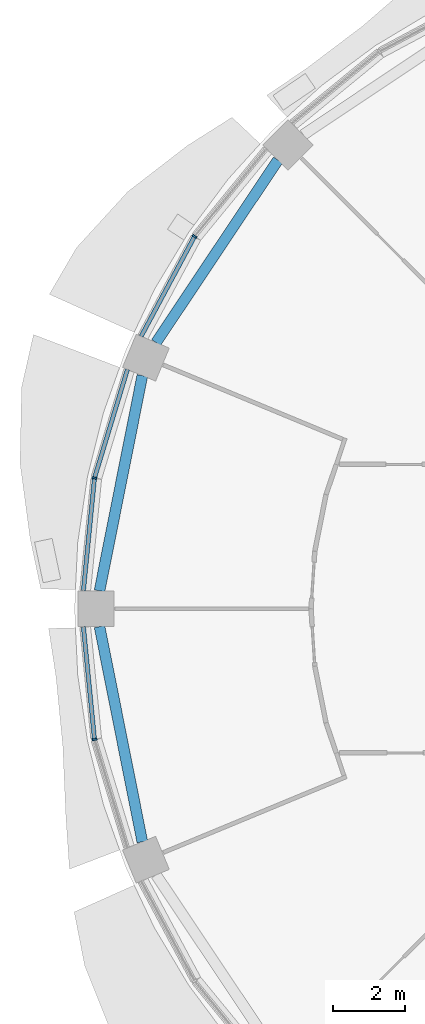
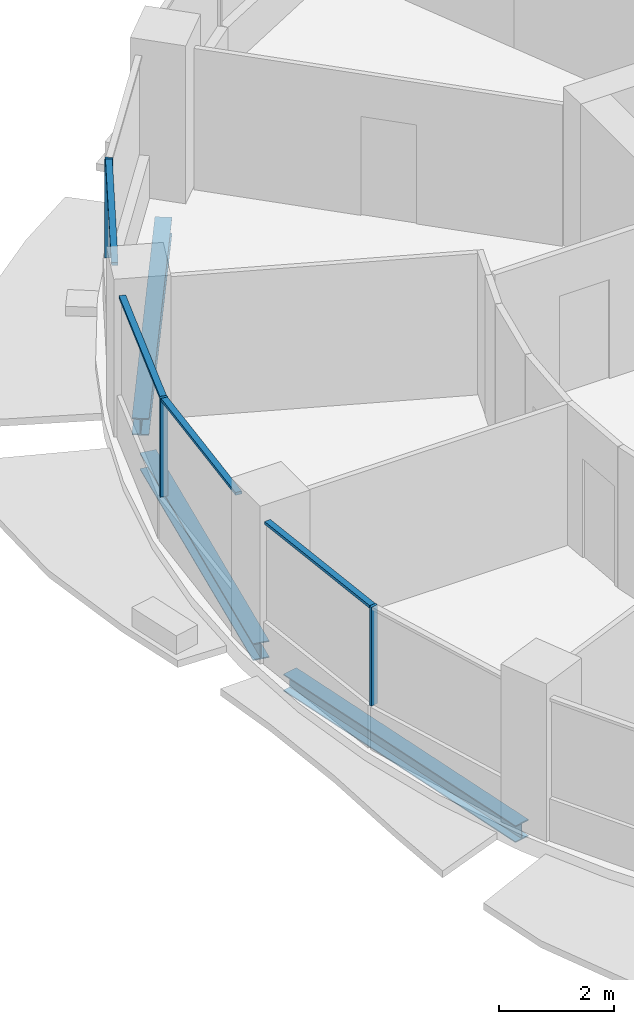
# One storey, part 4 of 14: 7 members, 3 beams, 3 elements without a shape of their own.
"""IFC4 building model written with IfcOpenShell, lengths in metres."""

from ifc_helpers import new_model, si_unit, direction, frame, origin, origin_2d, place, context, subcontext, project, spatial, rectangle, i_section, extrude, material, material_profile, profile_set, type_object, element, aggregate, save


model = new_model("IFC4")

# Units and contexts
model_context = context("Model", 3, precision=1e-05, world=origin(), true_north=direction((0.0, 1.0)))
body_context = subcontext(model_context, "Body", "Model", "MODEL_VIEW")
ifc_project = project(units=[si_unit("LENGTHUNIT", "METRE"), si_unit("AREAUNIT", "SQUARE_METRE"), si_unit("VOLUMEUNIT", "CUBIC_METRE"), si_unit("PLANEANGLEUNIT", "RADIAN"), si_unit("MASSUNIT", "GRAM", prefix="KILO")], contexts=[model_context])

# Site, building, storey
site_placement = place(None, origin())
site = spatial("IfcSite", under=ifc_project, at=site_placement, CompositionType="ELEMENT")
building_placement = place(site_placement, origin())
building = spatial("IfcBuilding", under=site, at=building_placement, Name="Polderwave Tower", CompositionType="ELEMENT")
storey_placement = place(building_placement, frame((0.0, 0.0, 144.39990234375)))
storey = spatial("IfcBuildingStorey", under=building, at=storey_placement, Name="L38", CompositionType="ELEMENT", Elevation=144.39990234375)

# Curtain wall, member
ifc_material_1 = material(Name="Aluminium 6063-T6 and glass", Category="aluminium")
curtain_wall_type = type_object("IfcCurtainWallType", Name="Office ribbon glazing wall", PredefinedType="NOTDEFINED", material=ifc_material_1)
curtain_wall_1_placement = place(storey_placement, origin())
curtain_wall_1 = element("IfcCurtainWall", 1, at=curtain_wall_1_placement, inside=storey, type_object=curtain_wall_type, Name="CW3 L38 06", PredefinedType="NOTDEFINED")
ifc_material_2 = material(Name="Aluminium 6063-T6", Category="aluminium")
ifc_material_profile_1 = material_profile(ifc_material_2, rectangle(XDim=0.139892578125, YDim=0.054931640625, at=origin_2d()), Name="AL 55x140")
ifc_profile_set_1 = profile_set([ifc_material_profile_1], Name="Aluminium 6063-T6")
member_type_1 = type_object("IfcMemberType", Name="Office ribbon glazing mullion 55x140", PredefinedType="MULLION", material=ifc_profile_set_1)
member_1_placement = place(storey_placement, frame((-15.548095703125, 10.388916015625, 0.900146484375), z_axis=(0.0, 0.0, 1.0), x_axis=(0.831508396395, -0.555512184136, 0.0)))
member_1 = element("IfcMember", 2, at=member_1_placement, type_object=member_type_1, Name="CW3 mullion 1", PredefinedType="MULLION", context=body_context, shape_type="SweptSolid", body=[
    extrude(rectangle(XDim=0.139892578125, YDim=0.054931640625, at=origin_2d()), origin(), (0.0, 0.0, 1.0), 2.099853515625),
])

curtain_wall_2_placement = place(storey_placement, origin())
curtain_wall_2 = element("IfcCurtainWall", 3, at=curtain_wall_2_placement, inside=storey, type_object=curtain_wall_type, Name="CW3 L38 07", PredefinedType="NOTDEFINED")
member_2_placement = place(storey_placement, frame((-18.341064453125, 3.64794921875, 0.900146484375), z_axis=(0.0, 0.0, 1.0), x_axis=(0.980764163857, -0.195196452055, 0.0)))
member_2 = element("IfcMember", 4, at=member_2_placement, type_object=member_type_1, Name="CW3 mullion 1", PredefinedType="MULLION", context=body_context, shape_type="SweptSolid", body=[
    extrude(rectangle(XDim=0.139892578125, YDim=0.054931640625, at=origin_2d()), origin(), (0.0, 0.0, 1.0), 2.099853515625),
])

curtain_wall_3_placement = place(storey_placement, origin())
curtain_wall_3 = element("IfcCurtainWall", 5, at=curtain_wall_3_placement, inside=storey, type_object=curtain_wall_type, Name="CW3 L38 08", PredefinedType="NOTDEFINED")
member_3_placement = place(storey_placement, frame((-18.341064453125, -3.64794921875, 0.900146484375), z_axis=(0.0, 0.0, 1.0), x_axis=(0.980764163857, 0.195196452055, 0.0)))
member_3 = element("IfcMember", 6, at=member_3_placement, type_object=member_type_1, Name="CW3 mullion 1", PredefinedType="MULLION", context=body_context, shape_type="SweptSolid", body=[
    extrude(rectangle(XDim=0.139892578125, YDim=0.054931640625, at=origin_2d()), origin(), (0.0, 0.0, 1.0), 2.099853515625),
])

# Member
ifc_material_profile_2 = material_profile(ifc_material_2, rectangle(XDim=0.1201171875, YDim=0.06005859375, at=origin_2d()), Name="AL 60x120")
ifc_profile_set_2 = profile_set([ifc_material_profile_2], Name="Aluminium 6063-T6")
member_type_2 = type_object("IfcMemberType", Name="Office ribbon glazing transom 60x120", PredefinedType="USERDEFINED", material=ifc_profile_set_2)
member_4_placement = place(storey_placement, frame((-15.56103515625, 10.36474609375, 2.97021484375), z_axis=(-0.471581867996, -0.881822284691, 0.0), x_axis=(0.881822284691, -0.471581867996, 0.0)))
member_4 = element("IfcMember", 7, at=member_4_placement, type_object=member_type_2, Name="CW3 transom 2", ObjectType="TRANSOM", PredefinedType="USERDEFINED", context=body_context, shape_type="SweptSolid", body=[
    extrude(rectangle(XDim=0.1201171875, YDim=0.06005859375, at=origin_2d()), origin(), (0.0, 0.0, 1.0), 3.13623046875),
])

aggregate(curtain_wall_1, [member_1, member_4])

member_5_placement = place(storey_placement, frame((-17.422119140625, 6.675048828125, 2.97021484375), z_axis=(-0.290467601512, -0.956884827172, 0.0), x_axis=(0.956884827172, -0.290467601512, 0.0)))
member_5 = element("IfcMember", 8, at=member_5_placement, type_object=member_type_2, Name="CW3 transom 1", ObjectType="TRANSOM", PredefinedType="USERDEFINED", context=body_context, shape_type="SweptSolid", body=[
    extrude(rectangle(XDim=0.1201171875, YDim=0.06005859375, at=origin_2d()), origin(), (0.0, 0.0, 1.0), 3.135986328125),
])

member_6_placement = place(storey_placement, frame((-18.34375, 3.62060546875, 2.97021484375), z_axis=(-0.097946420382, -0.995191689442, 0.0), x_axis=(0.995191689442, -0.097946420382, 0.0)))
member_6 = element("IfcMember", 9, at=member_6_placement, type_object=member_type_2, Name="CW3 transom 2", ObjectType="TRANSOM", PredefinedType="USERDEFINED", context=body_context, shape_type="SweptSolid", body=[
    extrude(rectangle(XDim=0.1201171875, YDim=0.06005859375, at=origin_2d()), origin(), (0.0, 0.0, 1.0), 3.1357421875),
])

aggregate(curtain_wall_2, [member_2, member_5, member_6])

member_7_placement = place(storey_placement, frame((-18.65087890625, -0.5, 2.97021484375), z_axis=(0.097946420382, -0.995191689442, 0.0), x_axis=(0.995191689442, 0.097946420382, 0.0)))
member_7 = element("IfcMember", 10, at=member_7_placement, type_object=member_type_2, Name="CW3 transom 1", ObjectType="TRANSOM", PredefinedType="USERDEFINED", context=body_context, shape_type="SweptSolid", body=[
    extrude(rectangle(XDim=0.1201171875, YDim=0.06005859375, at=origin_2d()), origin(), (0.0, 0.0, 1.0), 3.1357421875),
])

aggregate(curtain_wall_3, [member_3, member_7])

# Beams
ifc_material_3 = material(Name="Steel S355", Category="steel")
ifc_material_profile_3 = material_profile(ifc_material_3, i_section(OverallWidth=0.300048828125, OverallDepth=0.360107421875, WebThickness=0.012451171875, FlangeThickness=0.0224609375, at=origin_2d()), Name="HE 360 B")
ifc_profile_set_3 = profile_set([ifc_material_profile_3], Name="Steel S355")
beam_type = type_object("IfcBeamType", Name="RING BEAM HE 360 B", PredefinedType="BEAM", material=ifc_profile_set_3)
beam_placement = place(storey_placement, frame((-13.223388671875, 12.51611328125, -0.52978515625), z_axis=(-0.555565167003, -0.831472997284, 0.0), x_axis=(0.831472997284, -0.555565167003, 0.0)))
element("IfcBeam", 11, at=beam_placement, inside=storey, type_object=beam_type, Name="ST-RB-L38-06", PredefinedType="BEAM", context=body_context, shape_type="SweptSolid", body=[
    extrude(i_section(OverallWidth=0.300048828125, OverallDepth=0.360107421875, WebThickness=0.012451171875, FlangeThickness=0.0224609375, at=origin_2d()), origin(), (0.0, 0.0, 1.0), 6.12060546875),
])
for number, where, z_axis, x_axis, name in (
    (12, (-17.00634765625, 6.503173828125, -0.52978515625), (-0.195088165617, -0.980785709335, 0.0), (0.980785709335, -0.195088165617, 0.0), "ST-RB-L38-07"),
    (13, (-18.200439453125, -0.5, -0.52978515625), (0.195088165617, -0.980785709335, 0.0), (0.980785709335, 0.195088165617, 0.0), "ST-RB-L38-08"),
):
    element("IfcBeam", number, at=place(storey_placement, frame(where, z_axis=z_axis, x_axis=x_axis)), inside=storey, type_object=beam_type, Name=name, PredefinedType="BEAM", context=body_context, shape_type="SweptSolid", body=[
        extrude(i_section(OverallWidth=0.300048828125, OverallDepth=0.360107421875, WebThickness=0.012451171875, FlangeThickness=0.0224609375, at=origin_2d()), origin(), (0.0, 0.0, 1.0), 6.120849609375),
    ])

save(model, "model.ifc")
